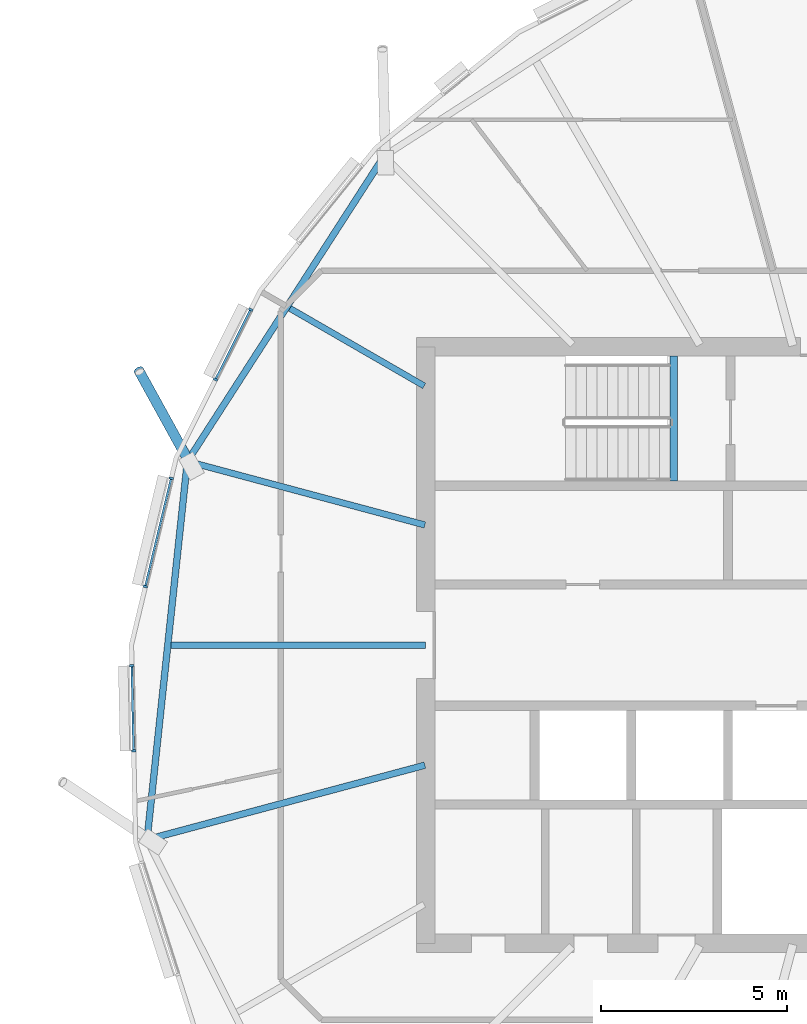
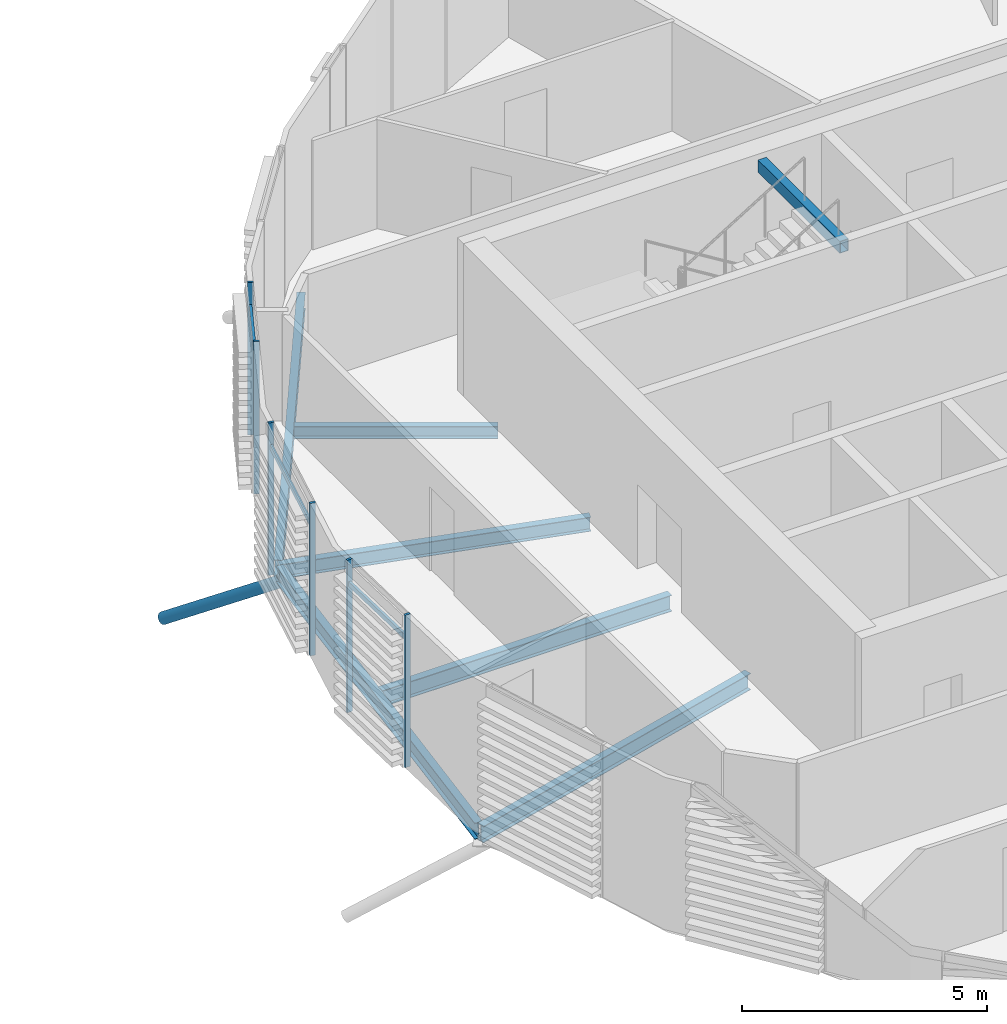
# One storey, part 11 of 41: 10 members, 7 beams, 1 element without a shape of its own.
"""IFC4 building model written with IfcOpenShell, lengths in metres."""

from ifc_helpers import new_model, si_unit, direction, frame, origin, origin_2d, place, context, subcontext, project, spatial, rectangle, hollow_rectangle, hollow_circle, i_section, extrude, clip, halfspace, material, material_profile, profile_set, type_object, element, aggregate, save


model = new_model("IFC4")

# Units and contexts
model_context = context("Model", 3, precision=1e-05, world=origin(), true_north=direction((0.0, 1.0)))
body_context = subcontext(model_context, "Body", "Model", "MODEL_VIEW")
ifc_project = project(units=[si_unit("LENGTHUNIT", "METRE"), si_unit("AREAUNIT", "SQUARE_METRE"), si_unit("VOLUMEUNIT", "CUBIC_METRE"), si_unit("PLANEANGLEUNIT", "RADIAN"), si_unit("MASSUNIT", "GRAM", prefix="KILO")], contexts=[model_context])

# Site, building, storey
site_placement = place(None, origin())
site = spatial("IfcSite", under=ifc_project, at=site_placement, CompositionType="ELEMENT")
building_placement = place(site_placement, origin())
building = spatial("IfcBuilding", under=site, at=building_placement, Name="Rimbun Link Towers", CompositionType="ELEMENT")
storey_placement = place(building_placement, frame((0.0, 0.0, 214.300048828125)))
storey = spatial("IfcBuildingStorey", under=building, at=storey_placement, Name="L52", CompositionType="ELEMENT", Elevation=214.300048828125)

# Curtain wall, members
ifc_material_1 = material(Name="Aluminium 6063-T6 and low-iron glass", Category="aluminium")
curtain_wall_type = type_object("IfcCurtainWallType", Name="CW1-Z4 unitised vision wall (zone 4)", PredefinedType="NOTDEFINED", material=ifc_material_1)
curtain_wall_placement = place(storey_placement, origin())
curtain_wall = element("IfcCurtainWall", 1, at=curtain_wall_placement, inside=storey, type_object=curtain_wall_type, Name="CW1 L52 T2", PredefinedType="NOTDEFINED")
ifc_material_2 = material(Name="Aluminium 6063-T6", Category="aluminium")
ifc_material_profile_1 = material_profile(ifc_material_2, rectangle(XDim=0.1201171875, YDim=0.06005859375, at=origin_2d()), Name="MULLION 60X120")
ifc_profile_set_1 = profile_set([ifc_material_profile_1], Name="Aluminium 6063-T6")
member_type_1 = type_object("IfcMemberType", Name="CW1 mullion 60X120", PredefinedType="MULLION", material=ifc_profile_set_1)
member_1_placement = place(storey_placement, frame((14.109375, 7.1220703125, 0.0), z_axis=(0.0, 0.0, 1.0), x_axis=(-0.893650392723, 0.448763830524, 0.0)))
member_1 = element("IfcMember", 2, at=member_1_placement, type_object=member_type_1, Name="CW1 mullion", PredefinedType="MULLION", context=body_context, shape_type="SweptSolid", body=[
    extrude(rectangle(XDim=0.1201171875, YDim=0.06005859375, at=origin_2d()), origin(), (0.0, 0.0, 1.0), 3.800048828125),
])
member_2_placement = place(storey_placement, frame((15.05322265625, 9.001708984375, 0.0), z_axis=(0.0, 0.0, 1.0), x_axis=(-0.893650392723, 0.448763830524, 0.0)))
member_2 = element("IfcMember", 3, at=member_2_placement, type_object=member_type_1, Name="CW1 mullion", PredefinedType="MULLION", context=body_context, shape_type="SweptSolid", body=[
    extrude(rectangle(XDim=0.1201171875, YDim=0.06005859375, at=origin_2d()), origin(), (0.0, 0.0, 1.0), 3.800048828125),
])
member_3_placement = place(storey_placement, frame((12.2275390625, 1.570068359375, 0.0), z_axis=(0.0, 0.0, 1.0), x_axis=(-0.972572572168, 0.232599638579, 0.0)))
member_3 = element("IfcMember", 4, at=member_3_placement, type_object=member_type_1, Name="CW1 mullion", PredefinedType="MULLION", context=body_context, shape_type="SweptSolid", body=[
    extrude(rectangle(XDim=0.1201171875, YDim=0.06005859375, at=origin_2d()), origin(), (0.0, 0.0, 1.0), 3.800048828125),
])
member_4_placement = place(storey_placement, frame((12.922119140625, 4.47412109375, 0.0), z_axis=(0.0, 0.0, 1.0), x_axis=(-0.972572572168, 0.232599638579, 0.0)))
member_4 = element("IfcMember", 5, at=member_4_placement, type_object=member_type_1, Name="CW1 mullion", PredefinedType="MULLION", context=body_context, shape_type="SweptSolid", body=[
    extrude(rectangle(XDim=0.1201171875, YDim=0.06005859375, at=origin_2d()), origin(), (0.0, 0.0, 1.0), 3.800048828125),
])
member_5_placement = place(storey_placement, frame((11.913330078125, -2.837158203125, 0.0), z_axis=(0.0, 0.0, 1.0), x_axis=(-0.999778345459, -0.021053739591, 0.0)))
member_5 = element("IfcMember", 6, at=member_5_placement, type_object=member_type_1, Name="CW1 mullion", PredefinedType="MULLION", context=body_context, shape_type="SweptSolid", body=[
    extrude(rectangle(XDim=0.1201171875, YDim=0.06005859375, at=origin_2d()), origin(), (0.0, 0.0, 1.0), 3.800048828125),
])
member_6_placement = place(storey_placement, frame((11.865234375, -0.551025390625, 0.0), z_axis=(0.0, 0.0, 1.0), x_axis=(-0.999778345459, -0.021053739591, 0.0)))
member_6 = element("IfcMember", 7, at=member_6_placement, type_object=member_type_1, Name="CW1 mullion", PredefinedType="MULLION", context=body_context, shape_type="SweptSolid", body=[
    extrude(rectangle(XDim=0.1201171875, YDim=0.06005859375, at=origin_2d()), origin(), (0.0, 0.0, 1.0), 3.800048828125),
])
ifc_material_3 = material(Name="Aluminium 6063-T6", Category="aluminium")
ifc_material_profile_2 = material_profile(ifc_material_3, rectangle(XDim=0.06005859375, YDim=0.1201171875, at=origin_2d()), Name="TRANSOM 60X120")
ifc_profile_set_2 = profile_set([ifc_material_profile_2], Name="Aluminium 6063-T6")
member_type_2 = type_object("IfcMemberType", Name="CW1 transom 60X120", PredefinedType="USERDEFINED", material=ifc_profile_set_2)
member_7_placement = place(storey_placement, frame((14.12451171875, 7.14794921875, 3.199951171875), z_axis=(0.44874220173, 0.893661253712, 0.0), x_axis=(-0.893661253712, 0.44874220173, 0.0)))
member_7 = element("IfcMember", 8, at=member_7_placement, type_object=member_type_2, Name="CW1 transom", ObjectType="TRANSOM", PredefinedType="USERDEFINED", context=body_context, shape_type="SweptSolid", body=[
    extrude(rectangle(XDim=0.06005859375, YDim=0.1201171875, at=origin_2d()), origin(), (0.0, 0.0, 1.0), 2.04345703125),
])
member_8_placement = place(storey_placement, frame((12.236328125, 1.598876953125, 3.199951171875), z_axis=(0.232646997026, 0.972561244742, 0.0), x_axis=(-0.972561244742, 0.232646997026, 0.0)))
member_8 = element("IfcMember", 9, at=member_8_placement, type_object=member_type_2, Name="CW1 transom", ObjectType="TRANSOM", PredefinedType="USERDEFINED", context=body_context, shape_type="SweptSolid", body=[
    extrude(rectangle(XDim=0.06005859375, YDim=0.1201171875, at=origin_2d()), origin(), (0.0, 0.0, 1.0), 2.92578125),
])
member_9_placement = place(storey_placement, frame((11.914794921875, -2.80712890625, 3.199951171875), z_axis=(-0.021052582475, 0.999778369826, 0.0), x_axis=(-0.999778369826, -0.021052582475, 0.0)))
member_9 = element("IfcMember", 10, at=member_9_placement, type_object=member_type_2, Name="CW1 transom", ObjectType="TRANSOM", PredefinedType="USERDEFINED", context=body_context, shape_type="SweptSolid", body=[
    extrude(rectangle(XDim=0.06005859375, YDim=0.1201171875, at=origin_2d()), origin(), (0.0, 0.0, 1.0), 2.2265625),
])
aggregate(curtain_wall, [member_1, member_2, member_3, member_4, member_5, member_6, member_7, member_8, member_9])

# Member
ifc_material_4 = material(Name="Steel S355J2H", Category="steel")
ifc_material_profile_3 = material_profile(ifc_material_4, hollow_circle(Radius=0.136474609375, WallThickness=0.012451171875, at=origin_2d()), Name="CHS 273x12.5")
ifc_profile_set_3 = profile_set([ifc_material_profile_3], Name="Steel S355J2H")
member_type_3 = type_object("IfcMemberType", Name="Floor edge link CHS 273x12.5", PredefinedType="BRACE", material=ifc_profile_set_3)
member_10_placement = place(storey_placement, frame((13.4033203125, 4.916015625, -0.607421875), z_axis=(-0.397004184183, 0.720504979659, -0.568559805146), x_axis=(-0.875842759527, -0.482596581613, 0.0)))
element("IfcMember", 11, at=member_10_placement, inside=storey, type_object=member_type_3, Name="Floor edge link T2 L52 08", PredefinedType="BRACE", context=body_context, shape_type="Clipping", body=[
    clip(extrude(hollow_circle(Radius=0.136474609375, WallThickness=0.012451171875, at=origin_2d()), frame((0.0, 0.0, -0.41259765625)), (0.0, 0.0, 1.0), 3.82373046875), halfspace(frame((0.0, 0.0, -0.194091796875), z_axis=(0.0, 0.82264193181, -0.568559805146)), False)),
])

# Beams
ifc_material_5 = material(Name="Steel S355J2", Category="steel")
ifc_material_profile_4 = material_profile(ifc_material_5, hollow_rectangle(XDim=0.199951171875, YDim=0.300048828125, WallThickness=0.011962890625, at=origin_2d()), Name="BOX 300x200x12")
ifc_profile_set_4 = profile_set([ifc_material_profile_4], Name="Steel S355J2")
beam_type_1 = type_object("IfcBeamType", Name="Stair trimmer beam BOX 300x200x12", PredefinedType="BEAM", material=ifc_profile_set_4)
beam_1_placement = place(storey_placement, frame((26.39990234375, 7.75, 3.510009765625), z_axis=(0.0, -1.0, 0.0), x_axis=(1.0, 0.0, 0.0)))
element("IfcBeam", 12, at=beam_1_placement, inside=storey, type_object=beam_type_1, Name="L52 ST3 stair beam 1", PredefinedType="BEAM", context=body_context, shape_type="SweptSolid", body=[
    extrude(hollow_rectangle(XDim=0.199951171875, YDim=0.300048828125, WallThickness=0.011962890625, at=origin_2d()), origin(), (0.0, 0.0, 1.0), 3.35009765625),
])
ifc_material_6 = material(Name="Steel S355J2", Category="steel")
ifc_material_profile_5 = material_profile(ifc_material_6, i_section(OverallWidth=0.1650390625, OverallDepth=0.303466796875, WebThickness=0.006103515625, FlangeThickness=0.01025390625, at=origin_2d()), Name="UB 305x165x40")
ifc_profile_set_5 = profile_set([ifc_material_profile_5], Name="Steel S355J2")
beam_type_2 = type_object("IfcBeamType", Name="UB 305x165x40", PredefinedType="BEAM", material=ifc_profile_set_5)
beam_2_placement = place(storey_placement, frame((19.7080078125, 6.952392578125, -0.291748046875), z_axis=(-0.866020402632, 0.50000866215, 0.0), x_axis=(-0.50000866215, -0.866020402632, 0.0)))
element("IfcBeam", 13, at=beam_2_placement, inside=storey, type_object=beam_type_2, Name="Radial beam T2 L52 07", PredefinedType="BEAM", context=body_context, shape_type="SweptSolid", body=[
    extrude(i_section(OverallWidth=0.1650390625, OverallDepth=0.303466796875, WebThickness=0.006103515625, FlangeThickness=0.01025390625, at=origin_2d()), origin(), (0.0, 0.0, 1.0), 4.15966796875),
])
ifc_material_7 = material(Name="Steel S355J2", Category="steel")
ifc_material_profile_6 = material_profile(ifc_material_7, i_section(OverallWidth=0.17138671875, OverallDepth=0.35498046875, WebThickness=0.00732421875, FlangeThickness=0.011474609375, at=origin_2d()), Name="UB 356x171x51")
ifc_profile_set_6 = profile_set([ifc_material_profile_6], Name="Steel S355J2")
beam_type_3 = type_object("IfcBeamType", Name="UB 356x171x51", PredefinedType="BEAM", material=ifc_profile_set_6)
beam_3_placement = place(storey_placement, frame((19.726806640625, 3.2216796875, -0.317626953125), z_axis=(-0.965927732038, 0.258811932646, 0.0), x_axis=(-0.258811932646, -0.965927732038, 0.0)))
element("IfcBeam", 14, at=beam_3_placement, inside=storey, type_object=beam_type_3, Name="Radial beam T2 L52 08", PredefinedType="BEAM", context=body_context, shape_type="SweptSolid", body=[
    extrude(i_section(OverallWidth=0.17138671875, OverallDepth=0.35498046875, WebThickness=0.00732421875, FlangeThickness=0.011474609375, at=origin_2d()), origin(), (0.0, 0.0, 1.0), 6.5966796875),
])
ifc_material_8 = material(Name="Steel S355J2", Category="steel")
ifc_material_profile_7 = material_profile(ifc_material_8, i_section(OverallWidth=0.177978515625, OverallDepth=0.406494140625, WebThickness=0.0078125, FlangeThickness=0.0126953125, at=origin_2d()), Name="UB 406x178x60")
ifc_profile_set_7 = profile_set([ifc_material_profile_7], Name="Steel S355J2")
beam_type_4 = type_object("IfcBeamType", Name="UB 406x178x60", PredefinedType="BEAM", material=ifc_profile_set_7)
beam_4_placement = place(storey_placement, frame((19.7490234375, 0.0, -0.34326171875), z_axis=(-1.0, 0.0, 0.0), x_axis=(0.0, -1.0, 0.0)))
element("IfcBeam", 15, at=beam_4_placement, inside=storey, type_object=beam_type_4, Name="Radial beam T2 L52 09", PredefinedType="BEAM", context=body_context, shape_type="SweptSolid", body=[
    extrude(i_section(OverallWidth=0.177978515625, OverallDepth=0.406494140625, WebThickness=0.0078125, FlangeThickness=0.0126953125, at=origin_2d()), origin(), (0.0, 0.0, 1.0), 6.828857421875),
])
beam_5_placement = place(storey_placement, frame((19.72607421875, -3.2216796875, -0.34326171875), z_axis=(-0.965919094582, -0.258844166869, 0.0), x_axis=(0.258844166869, -0.965919094582, 0.0)))
element("IfcBeam", 16, at=beam_5_placement, inside=storey, type_object=beam_type_4, Name="Radial beam T2 L52 10", PredefinedType="BEAM", context=body_context, shape_type="SweptSolid", body=[
    extrude(i_section(OverallWidth=0.177978515625, OverallDepth=0.406494140625, WebThickness=0.0078125, FlangeThickness=0.0126953125, at=origin_2d()), origin(), (0.0, 0.0, 1.0), 7.71533203125),
])
beam_6_placement = place(storey_placement, frame((18.581787109375, 13.041015625, -0.34326171875), z_axis=(-0.541636367037, -0.840612898963, 0.0), x_axis=(0.840612898963, -0.541636367037, 0.0)))
element("IfcBeam", 17, at=beam_6_placement, inside=storey, type_object=beam_type_4, Name="Edge beam T2 L52 06-08", PredefinedType="BEAM", context=body_context, shape_type="SweptSolid", body=[
    extrude(i_section(OverallWidth=0.177978515625, OverallDepth=0.406494140625, WebThickness=0.0078125, FlangeThickness=0.0126953125, at=origin_2d()), origin(), (0.0, 0.0, 1.0), 9.55908203125),
])
beam_7_placement = place(storey_placement, frame((13.345703125, 4.841796875, -0.34326171875), z_axis=(-0.105954172233, -0.994371013951, 0.0), x_axis=(0.994371013951, -0.105954172233, 0.0)))
element("IfcBeam", 18, at=beam_7_placement, inside=storey, type_object=beam_type_4, Name="Edge beam T2 L52 08-10", PredefinedType="BEAM", context=body_context, shape_type="SweptSolid", body=[
    extrude(i_section(OverallWidth=0.177978515625, OverallDepth=0.406494140625, WebThickness=0.0078125, FlangeThickness=0.0126953125, at=origin_2d()), origin(), (0.0, 0.0, 1.0), 10.02099609375),
])

save(model, "model.ifc")
